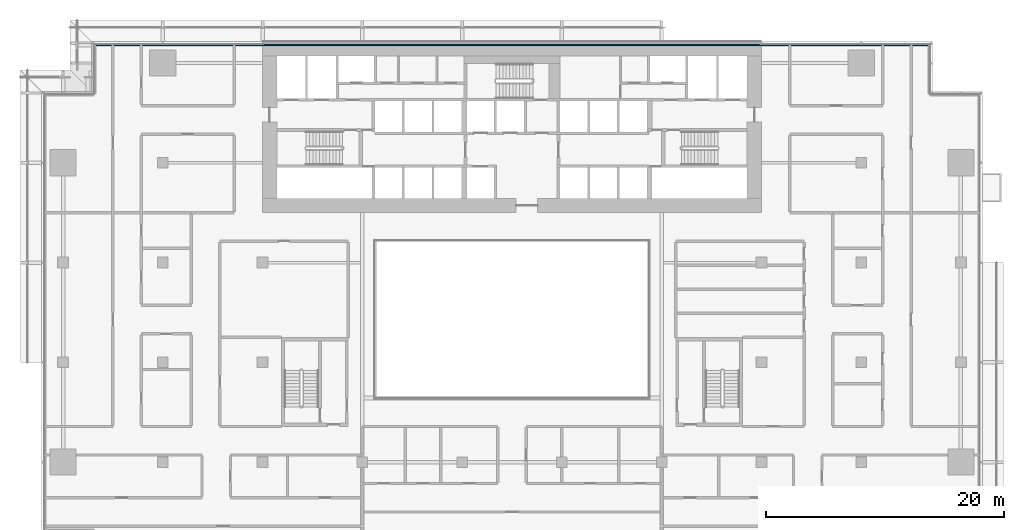
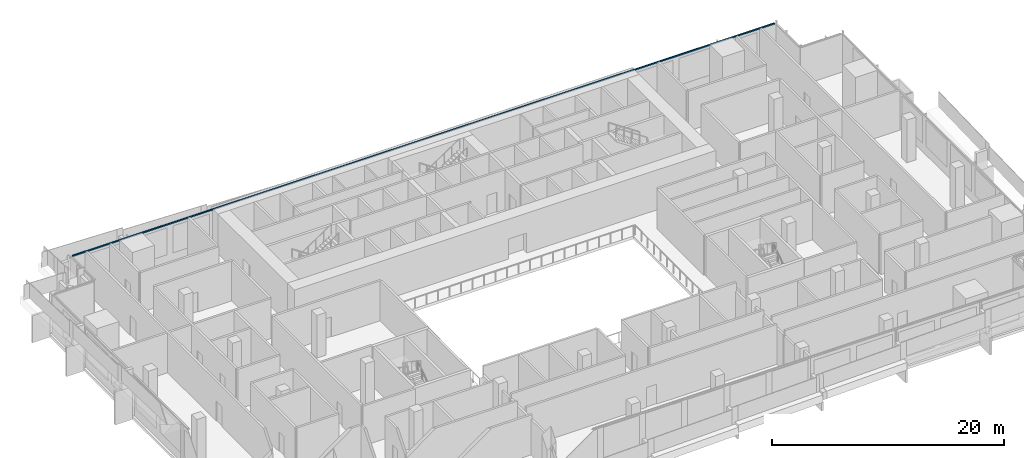
# One storey, part 7 of 24: 1 member, 1 element without a shape of its own.
"""IFC4 building model written with IfcOpenShell, lengths in metres."""

from ifc_helpers import new_model, si_unit, direction, frame, origin, origin_2d, place, context, subcontext, project, spatial, rectangle, extrude, material, material_profile, profile_set, type_object, element, aggregate, save


model = new_model("IFC4")

# Units and contexts
model_context = context("Model", 3, precision=1e-05, world=origin(), true_north=direction((0.0, 1.0)))
body_context = subcontext(model_context, "Body", "Model", "MODEL_VIEW")
ifc_project = project(units=[si_unit("LENGTHUNIT", "METRE"), si_unit("AREAUNIT", "SQUARE_METRE"), si_unit("VOLUMEUNIT", "CUBIC_METRE"), si_unit("PLANEANGLEUNIT", "RADIAN"), si_unit("MASSUNIT", "GRAM", prefix="KILO")], contexts=[model_context])

# Site, building, storey
site_placement = place(None, origin())
site = spatial("IfcSite", under=ifc_project, at=site_placement, CompositionType="ELEMENT")
building_placement = place(site_placement, origin())
building = spatial("IfcBuilding", under=site, at=building_placement, Name="Saffron Gate Tower", CompositionType="ELEMENT")
storey_placement = place(building_placement, frame((0.0, 0.0, 28.199951171875)))
storey = spatial("IfcBuildingStorey", under=building, at=storey_placement, Name="L05", CompositionType="ELEMENT", Elevation=28.199951171875)

# Curtain wall, member
ifc_material = material(Name="Aluminium, bronze anodised", Category="aluminium")
curtain_wall_type = type_object("IfcCurtainWallType", Name="CWS6 curtain wall tall storeys", PredefinedType="NOTDEFINED", material=ifc_material)
curtain_wall_placement = place(storey_placement, origin())
curtain_wall = element("IfcCurtainWall", 1, at=curtain_wall_placement, inside=storey, type_object=curtain_wall_type, Name="CWS6 run 7", PredefinedType="NOTDEFINED")
ifc_material_profile = material_profile(ifc_material, rectangle(XDim=0.1201171875, YDim=0.1201171875, at=origin_2d()))
ifc_profile_set = profile_set([ifc_material_profile], Name="Aluminium, bronze anodised")
member_type = type_object("IfcMemberType", Name="CWS6 head transom", PredefinedType="USERDEFINED", material=ifc_profile_set)
member_placement = place(storey_placement, frame((122.592041015625, 75.31201171875, 4.14013671875), z_axis=(-1.0, 0.0, 0.0), x_axis=(0.0, -1.0, 0.0)))
member = element("IfcMember", 2, at=member_placement, type_object=member_type, Name="CWS6 head transom", ObjectType="TRANSOM", PredefinedType="USERDEFINED", context=body_context, shape_type="SweptSolid", body=[
    extrude(rectangle(XDim=0.1201171875, YDim=0.1201171875, at=origin_2d()), origin(), (0.0, 0.0, 1.0), 69.984130859375),
])
aggregate(curtain_wall, [member])

save(model, "model.ifc")
